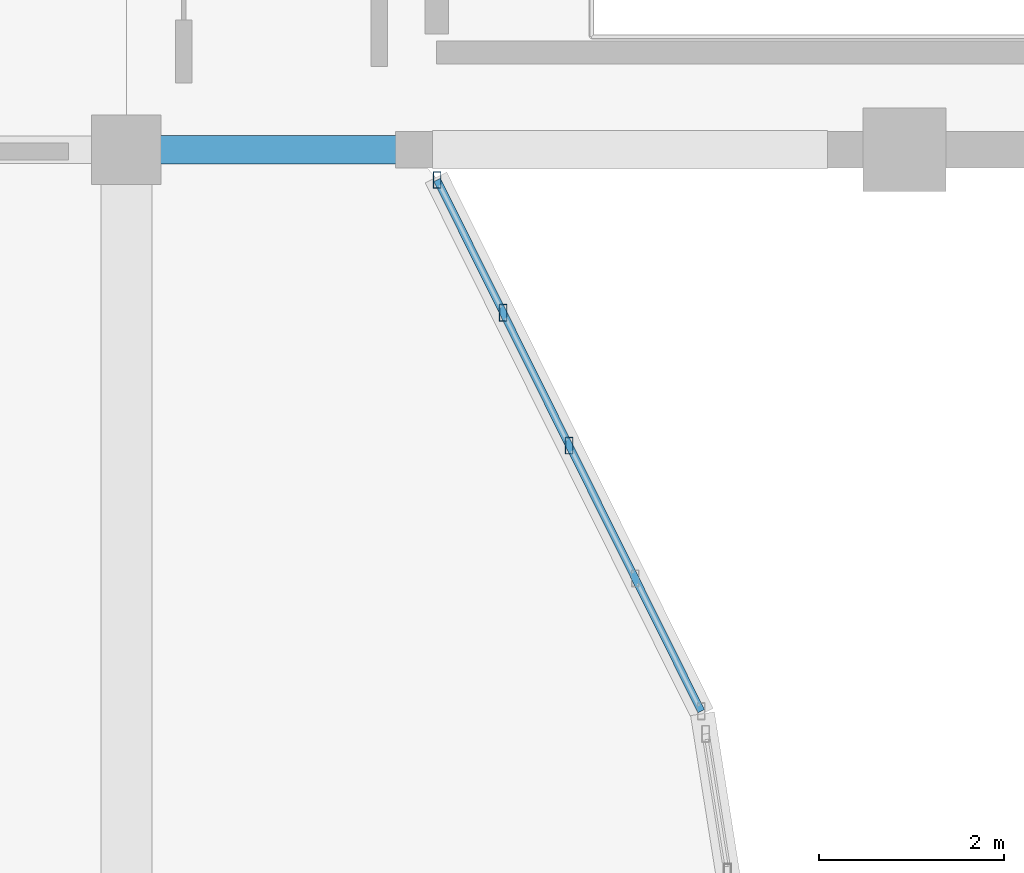
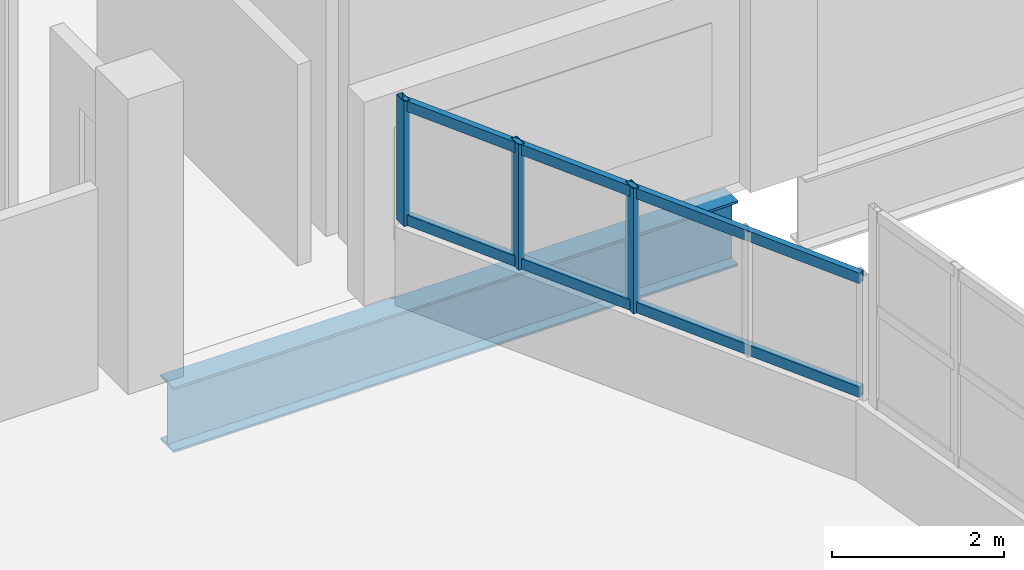
# One storey, part 28 of 52: 5 members, 1 beam, 1 element without a shape of its own.
"""IFC4 building model written with IfcOpenShell, lengths in metres."""

from ifc_helpers import new_model, si_unit, direction, frame, origin, origin_2d, place, context, subcontext, project, spatial, hollow_rectangle, i_section, extrude, material, material_profile, profile_set, type_object, element, aggregate, save


model = new_model("IFC4")

# Units and contexts
model_context = context("Model", 3, precision=1e-05, world=origin(), true_north=direction((0.0, 1.0)))
body_context = subcontext(model_context, "Body", "Model", "MODEL_VIEW")
ifc_project = project(units=[si_unit("LENGTHUNIT", "METRE"), si_unit("AREAUNIT", "SQUARE_METRE"), si_unit("VOLUMEUNIT", "CUBIC_METRE"), si_unit("PLANEANGLEUNIT", "RADIAN"), si_unit("MASSUNIT", "GRAM", prefix="KILO")], contexts=[model_context])

# Site, building, storey
site_placement = place(None, origin())
site = spatial("IfcSite", under=ifc_project, at=site_placement, CompositionType="ELEMENT")
building_placement = place(site_placement, origin())
building = spatial("IfcBuilding", under=site, at=building_placement, Name="Solvento Point Concert Hall", CompositionType="ELEMENT")
storey_placement = place(building_placement, frame((0.0, 0.0, 19.5)))
storey = spatial("IfcBuildingStorey", under=building, at=storey_placement, Name="L04", CompositionType="ELEMENT", Elevation=19.5)

# Beam
ifc_material_1 = material(Name="Structural Steel ASTM A992 Grade 50", Category="steel")
ifc_material_profile_1 = material_profile(ifc_material_1, i_section(OverallWidth=0.3076171875, OverallDepth=0.927001953125, WebThickness=0.019287109375, FlangeThickness=0.031982421875, at=origin_2d()), Name="W36X194")
ifc_profile_set_1 = profile_set([ifc_material_profile_1], Name="Structural Steel ASTM A992 Grade 50")
beam_type = type_object("IfcBeamType", Name="Girder_W36X194", PredefinedType="USERDEFINED", material=ifc_profile_set_1)
beam_placement = place(storey_placement, frame((83.1689453125, 42.5, -0.757568359375), z_axis=(1.0, 0.0, 0.0), x_axis=(0.0, 1.0, 0.0)))
element("IfcBeam", 1, at=beam_placement, inside=storey, type_object=beam_type, Name="Primary girder B-61 L04", ObjectType="GIRDER", PredefinedType="USERDEFINED", context=body_context, shape_type="SweptSolid", body=[
    extrude(i_section(OverallWidth=0.3076171875, OverallDepth=0.927001953125, WebThickness=0.019287109375, FlangeThickness=0.031982421875, at=origin_2d()), origin(), (0.0, 0.0, 1.0), 7.587158203125),
])

# Curtain wall, members
ifc_material_2 = material(Name="Anodized Bronze Aluminium", Category="aluminium")
curtain_wall_type = type_object("IfcCurtainWallType", Name="CurtainWall_RingRibbon_L03_04", PredefinedType="USERDEFINED", material=ifc_material_2)
curtain_wall_placement = place(storey_placement, origin())
curtain_wall = element("IfcCurtainWall", 2, at=curtain_wall_placement, inside=storey, type_object=curtain_wall_type, Name="Unitised curtain wall CW-31 UCW-L04-223", ObjectType="UNITISED CURTAIN WALL", PredefinedType="USERDEFINED")
ifc_material_3 = material(Name="Anodized Bronze Aluminium", Category="aluminium")
ifc_material_profile_2 = material_profile(ifc_material_3, hollow_rectangle(XDim=0.080078125, YDim=0.179931640625, WallThickness=0.00390625, at=origin_2d()), Name="CW-MUL-80X180")
ifc_profile_set_2 = profile_set([ifc_material_profile_2], Name="Anodized Bronze Aluminium")
member_type_1 = type_object("IfcMemberType", Name="Mullion_80x180", PredefinedType="MULLION", material=ifc_profile_set_2)
member_1_placement = place(storey_placement, frame((86.15478515625, 42.173095703125, 1.1201171875), z_axis=(0.0, 0.0, 1.0), x_axis=(1.0, 0.0, 0.0)))
member_1 = element("IfcMember", 3, at=member_1_placement, type_object=member_type_1, Name="Curtain wall mullion ML-01", PredefinedType="MULLION", context=body_context, shape_type="SweptSolid", body=[
    extrude(hollow_rectangle(XDim=0.080078125, YDim=0.179931640625, WallThickness=0.00390625, at=origin_2d()), origin(), (0.0, 0.0, 1.0), 1.77783203125),
])
member_2_placement = place(storey_placement, frame((86.867431640625, 40.739501953125, 1.1201171875), z_axis=(0.0, 0.0, 1.0), x_axis=(1.0, 0.0, 0.0)))
member_2 = element("IfcMember", 4, at=member_2_placement, type_object=member_type_1, Name="Curtain wall mullion ML-01", PredefinedType="MULLION", context=body_context, shape_type="SweptSolid", body=[
    extrude(hollow_rectangle(XDim=0.080078125, YDim=0.179931640625, WallThickness=0.00390625, at=origin_2d()), origin(), (0.0, 0.0, 1.0), 1.77783203125),
])
member_3_placement = place(storey_placement, frame((87.580078125, 39.305908203125, 1.1201171875), z_axis=(0.0, 0.0, 1.0), x_axis=(1.0, 0.0, 0.0)))
member_3 = element("IfcMember", 5, at=member_3_placement, type_object=member_type_1, Name="Curtain wall mullion ML-01", PredefinedType="MULLION", context=body_context, shape_type="SweptSolid", body=[
    extrude(hollow_rectangle(XDim=0.080078125, YDim=0.179931640625, WallThickness=0.00390625, at=origin_2d()), origin(), (0.0, 0.0, 1.0), 1.77783203125),
])
ifc_material_4 = material(Name="Anodized Bronze Aluminium", Category="aluminium")
ifc_material_profile_3 = material_profile(ifc_material_4, hollow_rectangle(XDim=0.080078125, YDim=0.14990234375, WallThickness=0.00390625, at=origin_2d()), Name="CW-TRN-80X150")
ifc_profile_set_3 = profile_set([ifc_material_profile_3], Name="Anodized Bronze Aluminium")
member_type_2 = type_object("IfcMemberType", Name="Transom_80x150", PredefinedType="USERDEFINED", material=ifc_profile_set_3)
member_4_placement = place(storey_placement, frame((86.15478515625, 42.173095703125, 1.199951171875), z_axis=(0.445138435481, -0.89546176538, 0.0), x_axis=(0.89546176538, 0.445138435481, 0.0)))
member_4 = element("IfcMember", 6, at=member_4_placement, type_object=member_type_2, Name="Curtain wall transom TR-01", ObjectType="TRANSOM", PredefinedType="USERDEFINED", context=body_context, shape_type="SweptSolid", body=[
    extrude(hollow_rectangle(XDim=0.080078125, YDim=0.14990234375, WallThickness=0.00390625, at=origin_2d()), origin(), (0.0, 0.0, 1.0), 6.40380859375),
])
member_5_placement = place(storey_placement, frame((86.15478515625, 42.173095703125, 2.818115234375), z_axis=(0.445138435481, -0.89546176538, 0.0), x_axis=(0.89546176538, 0.445138435481, 0.0)))
member_5 = element("IfcMember", 7, at=member_5_placement, type_object=member_type_2, Name="Curtain wall transom TR-01", ObjectType="TRANSOM", PredefinedType="USERDEFINED", context=body_context, shape_type="SweptSolid", body=[
    extrude(hollow_rectangle(XDim=0.080078125, YDim=0.14990234375, WallThickness=0.00390625, at=origin_2d()), origin(), (0.0, 0.0, 1.0), 6.40380859375),
])
aggregate(curtain_wall, [member_1, member_2, member_3, member_4, member_5])

save(model, "model.ifc")
